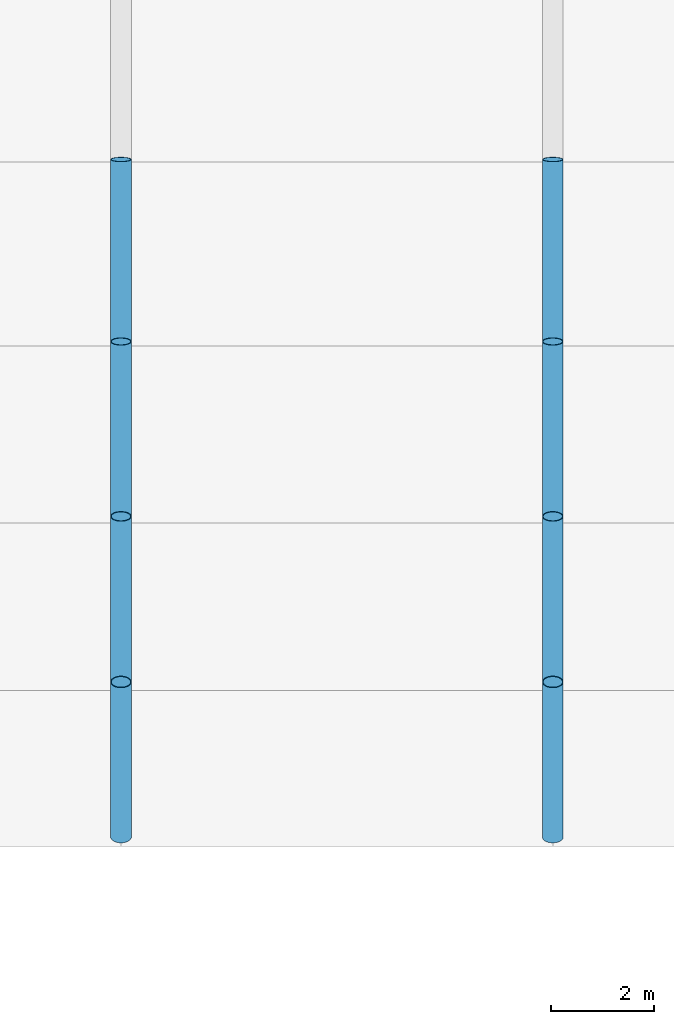
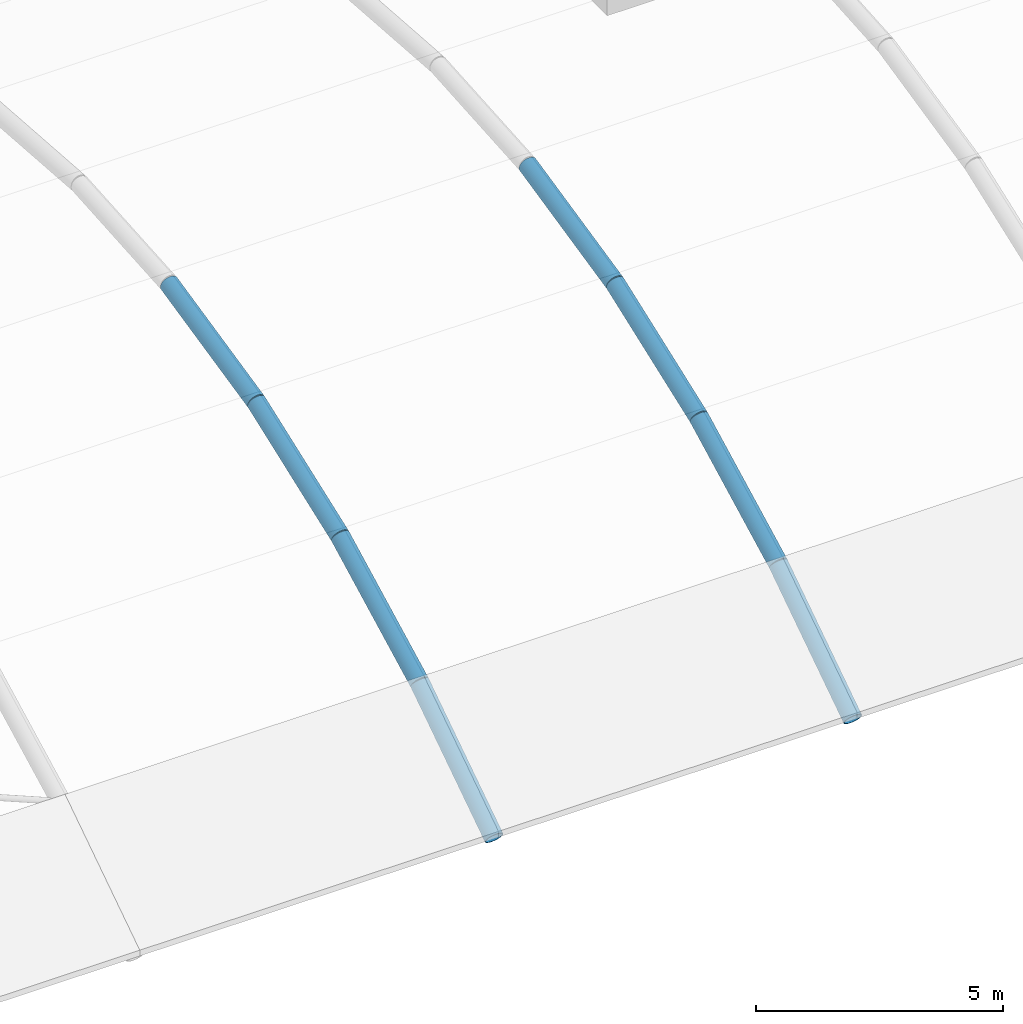
# One storey, part 8 of 77: 8 members.
"""IFC4 building model written with IfcOpenShell, lengths in metres."""

from ifc_helpers import new_model, si_unit, direction, frame, origin, origin_2d, place, context, subcontext, project, spatial, hollow_circle, extrude, material, material_profile, profile_set, type_object, element, save


model = new_model("IFC4")

# Units and contexts
model_context = context("Model", 3, precision=1e-05, world=origin(), true_north=direction((0.0, 1.0)))
body_context = subcontext(model_context, "Body", "Model", "MODEL_VIEW")
ifc_project = project(units=[si_unit("LENGTHUNIT", "METRE"), si_unit("AREAUNIT", "SQUARE_METRE"), si_unit("VOLUMEUNIT", "CUBIC_METRE"), si_unit("PLANEANGLEUNIT", "RADIAN"), si_unit("MASSUNIT", "GRAM", prefix="KILO")], contexts=[model_context])

# Site, building, storey
site_placement = place(None, origin())
site = spatial("IfcSite", under=ifc_project, at=site_placement, CompositionType="ELEMENT")
building_placement = place(site_placement, origin())
building = spatial("IfcBuilding", under=site, at=building_placement, Name="Catenary Quay Ferry Terminal", CompositionType="ELEMENT")
storey_placement = place(building_placement, frame((0.0, 0.0, 10.800048828125)))
storey = spatial("IfcBuildingStorey", under=building, at=storey_placement, Name="L02", CompositionType="ELEMENT", Elevation=10.800048828125)

# Members
ifc_material = material(Name="Steel S355", Category="steel")
ifc_material_profile = material_profile(ifc_material, hollow_circle(Radius=0.203125, WallThickness=0.01611328125, at=origin_2d()), Name="CHS 406.4x16")
ifc_profile_set = profile_set([ifc_material_profile], Name="Steel S355")
member_type = type_object("IfcMemberType", Name="VR3 CHS 406.4x16", PredefinedType="RAFTER", material=ifc_profile_set)
for number, where, z_axis, x_axis, name in (
    (1, (42.0, 67.199951171875, 0.0), (0.0, 0.831936388081, 0.554871017613), (-1.0, 0.0, 0.0), "Vault rib VA-03-01"),
    (2, (42.0, 70.218017578125, 2.012939453125), (0.0, 0.887609848797, 0.460596088041), (-1.0, 0.0, 0.0), "Vault rib VA-03-02"),
):
    element("IfcMember", number, at=place(storey_placement, frame(where, z_axis=z_axis, x_axis=x_axis)), inside=storey, type_object=member_type, Name=name, PredefinedType="RAFTER", context=body_context, shape_type="SweptSolid", body=[
        extrude(hollow_circle(Radius=0.203125, WallThickness=0.01611328125, at=origin_2d()), origin(), (0.0, 0.0, 1.0), 3.627685546875),
    ])
for number, where, z_axis, x_axis, name in (
    (3, (42.0, 73.43798828125, 3.683837890625), (0.0, 0.937641576687, 0.347603615728), (-1.0, 0.0, 0.0), "Vault rib VA-03-03"),
    (4, (42.0, 76.840087890625, 4.945068359375), (0.0, 0.976201307112, 0.216866336698), (-1.0, 0.0, 0.0), "Vault rib VA-03-04"),
):
    element("IfcMember", number, at=place(storey_placement, frame(where, z_axis=z_axis, x_axis=x_axis)), inside=storey, type_object=member_type, Name=name, PredefinedType="RAFTER", context=body_context, shape_type="SweptSolid", body=[
        extrude(hollow_circle(Radius=0.203125, WallThickness=0.01611328125, at=origin_2d()), origin(), (0.0, 0.0, 1.0), 3.62841796875),
    ])
for number, where, z_axis, x_axis, name in (
    (5, (50.39990234375, 67.199951171875, 0.0), (0.0, 0.831936388081, 0.554871017613), (-1.0, 0.0, 0.0), "Vault rib VA-04-01"),
    (6, (50.39990234375, 70.218017578125, 2.012939453125), (0.0, 0.887609848797, 0.460596088041), (-1.0, 0.0, 0.0), "Vault rib VA-04-02"),
):
    element("IfcMember", number, at=place(storey_placement, frame(where, z_axis=z_axis, x_axis=x_axis)), inside=storey, type_object=member_type, Name=name, PredefinedType="RAFTER", context=body_context, shape_type="SweptSolid", body=[
        extrude(hollow_circle(Radius=0.203125, WallThickness=0.01611328125, at=origin_2d()), origin(), (0.0, 0.0, 1.0), 3.627685546875),
    ])
for number, where, z_axis, x_axis, name in (
    (7, (50.39990234375, 73.43798828125, 3.683837890625), (0.0, 0.937641576687, 0.347603615728), (-1.0, 0.0, 0.0), "Vault rib VA-04-03"),
    (8, (50.39990234375, 76.840087890625, 4.945068359375), (0.0, 0.976201307112, 0.216866336698), (-1.0, 0.0, 0.0), "Vault rib VA-04-04"),
):
    element("IfcMember", number, at=place(storey_placement, frame(where, z_axis=z_axis, x_axis=x_axis)), inside=storey, type_object=member_type, Name=name, PredefinedType="RAFTER", context=body_context, shape_type="SweptSolid", body=[
        extrude(hollow_circle(Radius=0.203125, WallThickness=0.01611328125, at=origin_2d()), origin(), (0.0, 0.0, 1.0), 3.62841796875),
    ])

save(model, "model.ifc")
